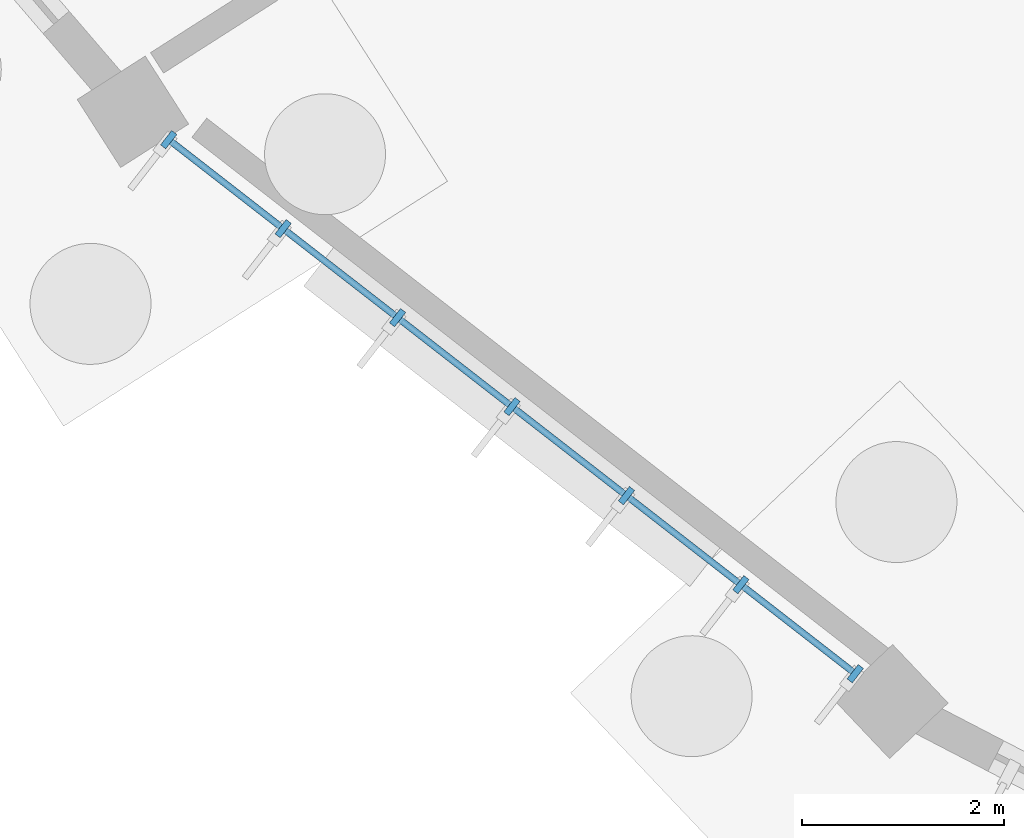
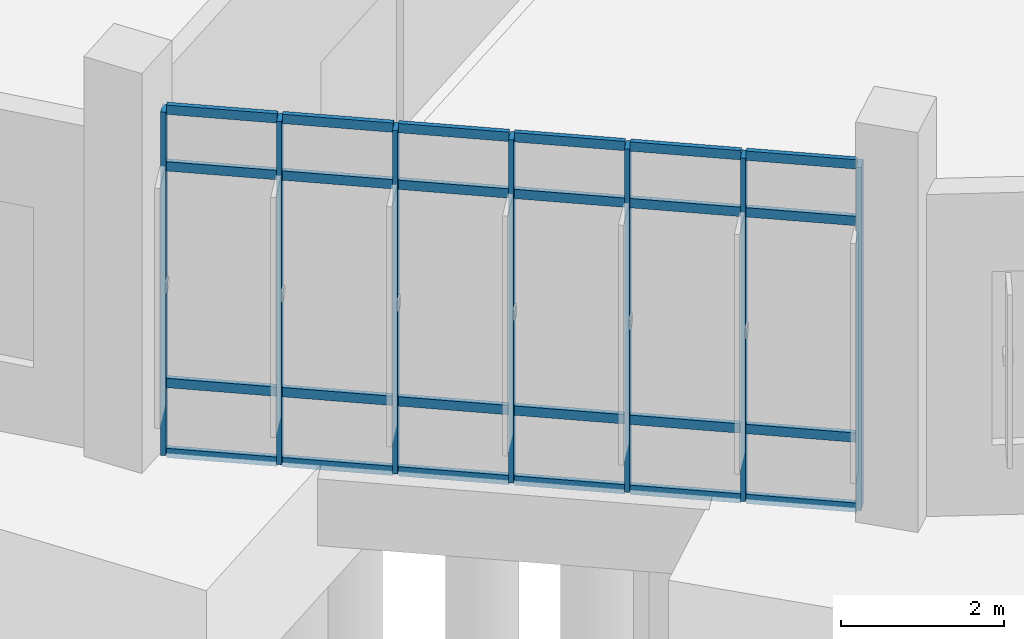
# One storey, part 32 of 140: 31 members, 1 element without a shape of its own.
"""IFC4 building model written with IfcOpenShell, lengths in metres."""

from ifc_helpers import new_model, si_unit, direction, frame, origin, origin_2d, place, context, subcontext, project, spatial, rectangle, extrude, material, layer, layer_set, material_profile, profile_set, type_object, element, aggregate, save


model = new_model("IFC4")

# Units and contexts
model_context = context("Model", 3, precision=1e-05, world=origin(), true_north=direction((0.0, 1.0)))
body_context = subcontext(model_context, "Body", "Model", "MODEL_VIEW")
ifc_project = project(units=[si_unit("LENGTHUNIT", "METRE"), si_unit("AREAUNIT", "SQUARE_METRE"), si_unit("VOLUMEUNIT", "CUBIC_METRE"), si_unit("PLANEANGLEUNIT", "RADIAN"), si_unit("MASSUNIT", "GRAM", prefix="KILO")], contexts=[model_context])

# Site, building, storey
site_placement = place(None, origin())
site = spatial("IfcSite", under=ifc_project, at=site_placement, CompositionType="ELEMENT")
building_placement = place(site_placement, origin())
building = spatial("IfcBuilding", under=site, at=building_placement, Name="Corvandel Quay Wholesale Market", CompositionType="ELEMENT")
storey_placement = place(building_placement, origin())
storey = spatial("IfcBuildingStorey", under=building, at=storey_placement, Name="L00", CompositionType="ELEMENT", Elevation=0.0)

# Curtain wall, members
ifc_material_1 = material(Name="Bronze anodised aluminium and low-E insulated glazing", Category="aluminium")
ifc_layer = layer(ifc_material_1, 0.14990234375)
ifc_layer_set = layer_set([ifc_layer], Name="Bronze anodised aluminium and low-E insulated glazing")
curtain_wall_type = type_object("IfcCurtainWallType", Name="Stick Curtain Wall System CW20 H4800", PredefinedType="NOTDEFINED", material=ifc_layer_set)
curtain_wall_placement = place(storey_placement, origin())
curtain_wall = element("IfcCurtainWall", 1, at=curtain_wall_placement, inside=storey, type_object=curtain_wall_type, Name="Curtain Wall CW-0057", PredefinedType="NOTDEFINED")
ifc_material_2 = material(Name="Anodised aluminium 6063-T6", Category="aluminium")
ifc_material_profile_1 = material_profile(ifc_material_2, rectangle(XDim=0.06494140625, YDim=0.179931640625, at=origin_2d()), Name="ALU-MUL-65x180")
ifc_profile_set_1 = profile_set([ifc_material_profile_1], Name="Anodised aluminium 6063-T6")
member_type_1 = type_object("IfcMemberType", Name="Curtain Wall Mullion ML01 65x180", PredefinedType="MULLION", material=ifc_profile_set_1)
member_1_placement = place(storey_placement, frame((72.41015625, 14.95068359375, 0.0), z_axis=(0.0, 0.0, 1.0), x_axis=(-0.789298462742, 0.614009720373, 0.0)))
member_1 = element("IfcMember", 2, at=member_1_placement, type_object=member_type_1, Name="Mullion CW-0057-M00", PredefinedType="MULLION", context=body_context, shape_type="SweptSolid", body=[
    extrude(rectangle(XDim=0.06494140625, YDim=0.179931640625, at=origin_2d()), origin(), (0.0, 0.0, 1.0), 5.14990234375),
])
member_2_placement = place(storey_placement, frame((73.54541015625, 14.067626953125, 0.0), z_axis=(0.0, 0.0, 1.0), x_axis=(-0.789298462742, 0.614009720373, 0.0)))
member_2 = element("IfcMember", 3, at=member_2_placement, type_object=member_type_1, Name="Mullion CW-0057-M01", PredefinedType="MULLION", context=body_context, shape_type="SweptSolid", body=[
    extrude(rectangle(XDim=0.06494140625, YDim=0.179931640625, at=origin_2d()), origin(), (0.0, 0.0, 1.0), 5.14990234375),
])
member_3_placement = place(storey_placement, frame((74.6806640625, 13.1845703125, 0.0), z_axis=(0.0, 0.0, 1.0), x_axis=(-0.789298462742, 0.614009720373, 0.0)))
member_3 = element("IfcMember", 4, at=member_3_placement, type_object=member_type_1, Name="Mullion CW-0057-M02", PredefinedType="MULLION", context=body_context, shape_type="SweptSolid", body=[
    extrude(rectangle(XDim=0.06494140625, YDim=0.179931640625, at=origin_2d()), origin(), (0.0, 0.0, 1.0), 5.14990234375),
])
member_4_placement = place(storey_placement, frame((75.81591796875, 12.301513671875, 0.0), z_axis=(0.0, 0.0, 1.0), x_axis=(-0.789298462742, 0.614009720373, 0.0)))
member_4 = element("IfcMember", 5, at=member_4_placement, type_object=member_type_1, Name="Mullion CW-0057-M03", PredefinedType="MULLION", context=body_context, shape_type="SweptSolid", body=[
    extrude(rectangle(XDim=0.06494140625, YDim=0.179931640625, at=origin_2d()), origin(), (0.0, 0.0, 1.0), 5.14990234375),
])
member_5_placement = place(storey_placement, frame((76.951416015625, 11.41845703125, 0.0), z_axis=(0.0, 0.0, 1.0), x_axis=(-0.789298462742, 0.614009720373, 0.0)))
member_5 = element("IfcMember", 6, at=member_5_placement, type_object=member_type_1, Name="Mullion CW-0057-M04", PredefinedType="MULLION", context=body_context, shape_type="SweptSolid", body=[
    extrude(rectangle(XDim=0.06494140625, YDim=0.179931640625, at=origin_2d()), origin(), (0.0, 0.0, 1.0), 5.14990234375),
])
member_6_placement = place(storey_placement, frame((78.08642578125, 10.535400390625, 0.0), z_axis=(0.0, 0.0, 1.0), x_axis=(-0.789298462742, 0.614009720373, 0.0)))
member_6 = element("IfcMember", 7, at=member_6_placement, type_object=member_type_1, Name="Mullion CW-0057-M05", PredefinedType="MULLION", context=body_context, shape_type="SweptSolid", body=[
    extrude(rectangle(XDim=0.06494140625, YDim=0.179931640625, at=origin_2d()), origin(), (0.0, 0.0, 1.0), 5.14990234375),
])
member_7_placement = place(storey_placement, frame((79.2216796875, 9.65234375, 0.0), z_axis=(0.0, 0.0, 1.0), x_axis=(-0.789298462742, 0.614009720373, 0.0)))
member_7 = element("IfcMember", 8, at=member_7_placement, type_object=member_type_1, Name="Mullion CW-0057-M06", PredefinedType="MULLION", context=body_context, shape_type="SweptSolid", body=[
    extrude(rectangle(XDim=0.06494140625, YDim=0.179931640625, at=origin_2d()), origin(), (0.0, 0.0, 1.0), 5.14990234375),
])
ifc_material_profile_2 = material_profile(ifc_material_2, rectangle(XDim=0.06494140625, YDim=0.139892578125, at=origin_2d()), Name="ALU-TRN-65x140")
ifc_profile_set_2 = profile_set([ifc_material_profile_2], Name="Anodised aluminium 6063-T6")
member_type_2 = type_object("IfcMemberType", Name="Curtain Wall Transom TR01 65x140", PredefinedType="USERDEFINED", material=ifc_profile_set_2)
member_8_placement = place(storey_placement, frame((72.435791015625, 14.9306640625, 0.0), z_axis=(0.789380936193, -0.61390368754, 0.0), x_axis=(0.61390368754, 0.789380936193, 0.0)))
member_8 = element("IfcMember", 9, at=member_8_placement, type_object=member_type_2, Name="Transom CW-0057-T00-0", ObjectType="TRANSOM", PredefinedType="USERDEFINED", context=body_context, shape_type="SweptSolid", body=[
    extrude(rectangle(XDim=0.06494140625, YDim=0.139892578125, at=origin_2d()), origin(), (0.0, 0.0, 1.0), 1.373291015625),
])
member_9_placement = place(storey_placement, frame((72.435791015625, 14.9306640625, 1.050048828125), z_axis=(0.789380936193, -0.61390368754, 0.0), x_axis=(0.61390368754, 0.789380936193, 0.0)))
member_9 = element("IfcMember", 10, at=member_9_placement, type_object=member_type_2, Name="Transom CW-0057-T00-1", ObjectType="TRANSOM", PredefinedType="USERDEFINED", context=body_context, shape_type="SweptSolid", body=[
    extrude(rectangle(XDim=0.06494140625, YDim=0.139892578125, at=origin_2d()), origin(), (0.0, 0.0, 1.0), 1.373291015625),
])
member_10_placement = place(storey_placement, frame((72.435791015625, 14.9306640625, 4.300048828125), z_axis=(0.789380936193, -0.61390368754, 0.0), x_axis=(0.61390368754, 0.789380936193, 0.0)))
member_10 = element("IfcMember", 11, at=member_10_placement, type_object=member_type_2, Name="Transom CW-0057-T00-2", ObjectType="TRANSOM", PredefinedType="USERDEFINED", context=body_context, shape_type="SweptSolid", body=[
    extrude(rectangle(XDim=0.06494140625, YDim=0.139892578125, at=origin_2d()), origin(), (0.0, 0.0, 1.0), 1.373291015625),
])
member_11_placement = place(storey_placement, frame((72.435791015625, 14.9306640625, 5.14990234375), z_axis=(0.789380936193, -0.61390368754, 0.0), x_axis=(0.61390368754, 0.789380936193, 0.0)))
member_11 = element("IfcMember", 12, at=member_11_placement, type_object=member_type_2, Name="Transom CW-0057-T00-3", ObjectType="TRANSOM", PredefinedType="USERDEFINED", context=body_context, shape_type="SweptSolid", body=[
    extrude(rectangle(XDim=0.06494140625, YDim=0.139892578125, at=origin_2d()), origin(), (0.0, 0.0, 1.0), 1.373291015625),
])
member_12_placement = place(storey_placement, frame((73.571044921875, 14.047607421875, 0.0), z_axis=(0.789380936193, -0.61390368754, 0.0), x_axis=(0.61390368754, 0.789380936193, 0.0)))
member_12 = element("IfcMember", 13, at=member_12_placement, type_object=member_type_2, Name="Transom CW-0057-T01-0", ObjectType="TRANSOM", PredefinedType="USERDEFINED", context=body_context, shape_type="SweptSolid", body=[
    extrude(rectangle(XDim=0.06494140625, YDim=0.139892578125, at=origin_2d()), origin(), (0.0, 0.0, 1.0), 1.373291015625),
])
member_13_placement = place(storey_placement, frame((73.571044921875, 14.047607421875, 1.050048828125), z_axis=(0.789380936193, -0.61390368754, 0.0), x_axis=(0.61390368754, 0.789380936193, 0.0)))
member_13 = element("IfcMember", 14, at=member_13_placement, type_object=member_type_2, Name="Transom CW-0057-T01-1", ObjectType="TRANSOM", PredefinedType="USERDEFINED", context=body_context, shape_type="SweptSolid", body=[
    extrude(rectangle(XDim=0.06494140625, YDim=0.139892578125, at=origin_2d()), origin(), (0.0, 0.0, 1.0), 1.373291015625),
])
member_14_placement = place(storey_placement, frame((73.571044921875, 14.047607421875, 4.300048828125), z_axis=(0.789380936193, -0.61390368754, 0.0), x_axis=(0.61390368754, 0.789380936193, 0.0)))
member_14 = element("IfcMember", 15, at=member_14_placement, type_object=member_type_2, Name="Transom CW-0057-T01-2", ObjectType="TRANSOM", PredefinedType="USERDEFINED", context=body_context, shape_type="SweptSolid", body=[
    extrude(rectangle(XDim=0.06494140625, YDim=0.139892578125, at=origin_2d()), origin(), (0.0, 0.0, 1.0), 1.373291015625),
])
member_15_placement = place(storey_placement, frame((73.571044921875, 14.047607421875, 5.14990234375), z_axis=(0.789380936193, -0.61390368754, 0.0), x_axis=(0.61390368754, 0.789380936193, 0.0)))
member_15 = element("IfcMember", 16, at=member_15_placement, type_object=member_type_2, Name="Transom CW-0057-T01-3", ObjectType="TRANSOM", PredefinedType="USERDEFINED", context=body_context, shape_type="SweptSolid", body=[
    extrude(rectangle(XDim=0.06494140625, YDim=0.139892578125, at=origin_2d()), origin(), (0.0, 0.0, 1.0), 1.373291015625),
])
member_16_placement = place(storey_placement, frame((74.706298828125, 13.16455078125, 0.0), z_axis=(0.789380936193, -0.61390368754, 0.0), x_axis=(0.61390368754, 0.789380936193, 0.0)))
member_16 = element("IfcMember", 17, at=member_16_placement, type_object=member_type_2, Name="Transom CW-0057-T02-0", ObjectType="TRANSOM", PredefinedType="USERDEFINED", context=body_context, shape_type="SweptSolid", body=[
    extrude(rectangle(XDim=0.06494140625, YDim=0.139892578125, at=origin_2d()), origin(), (0.0, 0.0, 1.0), 1.373291015625),
])
member_17_placement = place(storey_placement, frame((74.706298828125, 13.16455078125, 1.050048828125), z_axis=(0.789380936193, -0.61390368754, 0.0), x_axis=(0.61390368754, 0.789380936193, 0.0)))
member_17 = element("IfcMember", 18, at=member_17_placement, type_object=member_type_2, Name="Transom CW-0057-T02-1", ObjectType="TRANSOM", PredefinedType="USERDEFINED", context=body_context, shape_type="SweptSolid", body=[
    extrude(rectangle(XDim=0.06494140625, YDim=0.139892578125, at=origin_2d()), origin(), (0.0, 0.0, 1.0), 1.373291015625),
])
member_18_placement = place(storey_placement, frame((74.706298828125, 13.16455078125, 4.300048828125), z_axis=(0.789380936193, -0.61390368754, 0.0), x_axis=(0.61390368754, 0.789380936193, 0.0)))
member_18 = element("IfcMember", 19, at=member_18_placement, type_object=member_type_2, Name="Transom CW-0057-T02-2", ObjectType="TRANSOM", PredefinedType="USERDEFINED", context=body_context, shape_type="SweptSolid", body=[
    extrude(rectangle(XDim=0.06494140625, YDim=0.139892578125, at=origin_2d()), origin(), (0.0, 0.0, 1.0), 1.373291015625),
])
member_19_placement = place(storey_placement, frame((74.706298828125, 13.16455078125, 5.14990234375), z_axis=(0.789380936193, -0.61390368754, 0.0), x_axis=(0.61390368754, 0.789380936193, 0.0)))
member_19 = element("IfcMember", 20, at=member_19_placement, type_object=member_type_2, Name="Transom CW-0057-T02-3", ObjectType="TRANSOM", PredefinedType="USERDEFINED", context=body_context, shape_type="SweptSolid", body=[
    extrude(rectangle(XDim=0.06494140625, YDim=0.139892578125, at=origin_2d()), origin(), (0.0, 0.0, 1.0), 1.373291015625),
])
member_20_placement = place(storey_placement, frame((75.841796875, 12.281494140625, 0.0), z_axis=(0.789313917558, -0.613989852969, 0.0), x_axis=(0.613989852969, 0.789313917558, 0.0)))
member_20 = element("IfcMember", 21, at=member_20_placement, type_object=member_type_2, Name="Transom CW-0057-T03-0", ObjectType="TRANSOM", PredefinedType="USERDEFINED", context=body_context, shape_type="SweptSolid", body=[
    extrude(rectangle(XDim=0.06494140625, YDim=0.139892578125, at=origin_2d()), origin(), (0.0, 0.0, 1.0), 1.373046875),
])
member_21_placement = place(storey_placement, frame((75.841796875, 12.281494140625, 1.050048828125), z_axis=(0.789313917558, -0.613989852969, 0.0), x_axis=(0.613989852969, 0.789313917558, 0.0)))
member_21 = element("IfcMember", 22, at=member_21_placement, type_object=member_type_2, Name="Transom CW-0057-T03-1", ObjectType="TRANSOM", PredefinedType="USERDEFINED", context=body_context, shape_type="SweptSolid", body=[
    extrude(rectangle(XDim=0.06494140625, YDim=0.139892578125, at=origin_2d()), origin(), (0.0, 0.0, 1.0), 1.373046875),
])
member_22_placement = place(storey_placement, frame((75.841796875, 12.281494140625, 4.300048828125), z_axis=(0.789313917558, -0.613989852969, 0.0), x_axis=(0.613989852969, 0.789313917558, 0.0)))
member_22 = element("IfcMember", 23, at=member_22_placement, type_object=member_type_2, Name="Transom CW-0057-T03-2", ObjectType="TRANSOM", PredefinedType="USERDEFINED", context=body_context, shape_type="SweptSolid", body=[
    extrude(rectangle(XDim=0.06494140625, YDim=0.139892578125, at=origin_2d()), origin(), (0.0, 0.0, 1.0), 1.373046875),
])
member_23_placement = place(storey_placement, frame((75.841796875, 12.281494140625, 5.14990234375), z_axis=(0.789313917558, -0.613989852969, 0.0), x_axis=(0.613989852969, 0.789313917558, 0.0)))
member_23 = element("IfcMember", 24, at=member_23_placement, type_object=member_type_2, Name="Transom CW-0057-T03-3", ObjectType="TRANSOM", PredefinedType="USERDEFINED", context=body_context, shape_type="SweptSolid", body=[
    extrude(rectangle(XDim=0.06494140625, YDim=0.139892578125, at=origin_2d()), origin(), (0.0, 0.0, 1.0), 1.373046875),
])
member_24_placement = place(storey_placement, frame((76.976806640625, 11.3984375, 0.0), z_axis=(0.789380936193, -0.61390368754, 0.0), x_axis=(0.61390368754, 0.789380936193, 0.0)))
member_24 = element("IfcMember", 25, at=member_24_placement, type_object=member_type_2, Name="Transom CW-0057-T04-0", ObjectType="TRANSOM", PredefinedType="USERDEFINED", context=body_context, shape_type="SweptSolid", body=[
    extrude(rectangle(XDim=0.06494140625, YDim=0.139892578125, at=origin_2d()), origin(), (0.0, 0.0, 1.0), 1.373291015625),
])
member_25_placement = place(storey_placement, frame((76.976806640625, 11.3984375, 1.050048828125), z_axis=(0.789380936193, -0.61390368754, 0.0), x_axis=(0.61390368754, 0.789380936193, 0.0)))
member_25 = element("IfcMember", 26, at=member_25_placement, type_object=member_type_2, Name="Transom CW-0057-T04-1", ObjectType="TRANSOM", PredefinedType="USERDEFINED", context=body_context, shape_type="SweptSolid", body=[
    extrude(rectangle(XDim=0.06494140625, YDim=0.139892578125, at=origin_2d()), origin(), (0.0, 0.0, 1.0), 1.373291015625),
])
member_26_placement = place(storey_placement, frame((76.976806640625, 11.3984375, 4.300048828125), z_axis=(0.789380936193, -0.61390368754, 0.0), x_axis=(0.61390368754, 0.789380936193, 0.0)))
member_26 = element("IfcMember", 27, at=member_26_placement, type_object=member_type_2, Name="Transom CW-0057-T04-2", ObjectType="TRANSOM", PredefinedType="USERDEFINED", context=body_context, shape_type="SweptSolid", body=[
    extrude(rectangle(XDim=0.06494140625, YDim=0.139892578125, at=origin_2d()), origin(), (0.0, 0.0, 1.0), 1.373291015625),
])
member_27_placement = place(storey_placement, frame((76.976806640625, 11.3984375, 5.14990234375), z_axis=(0.789380936193, -0.61390368754, 0.0), x_axis=(0.61390368754, 0.789380936193, 0.0)))
member_27 = element("IfcMember", 28, at=member_27_placement, type_object=member_type_2, Name="Transom CW-0057-T04-3", ObjectType="TRANSOM", PredefinedType="USERDEFINED", context=body_context, shape_type="SweptSolid", body=[
    extrude(rectangle(XDim=0.06494140625, YDim=0.139892578125, at=origin_2d()), origin(), (0.0, 0.0, 1.0), 1.373291015625),
])
member_28_placement = place(storey_placement, frame((78.1123046875, 10.515380859375, 0.0), z_axis=(0.789313917558, -0.613989852969, 0.0), x_axis=(0.613989852969, 0.789313917558, 0.0)))
member_28 = element("IfcMember", 29, at=member_28_placement, type_object=member_type_2, Name="Transom CW-0057-T05-0", ObjectType="TRANSOM", PredefinedType="USERDEFINED", context=body_context, shape_type="SweptSolid", body=[
    extrude(rectangle(XDim=0.06494140625, YDim=0.139892578125, at=origin_2d()), origin(), (0.0, 0.0, 1.0), 1.373046875),
])
member_29_placement = place(storey_placement, frame((78.1123046875, 10.515380859375, 1.050048828125), z_axis=(0.789313917558, -0.613989852969, 0.0), x_axis=(0.613989852969, 0.789313917558, 0.0)))
member_29 = element("IfcMember", 30, at=member_29_placement, type_object=member_type_2, Name="Transom CW-0057-T05-1", ObjectType="TRANSOM", PredefinedType="USERDEFINED", context=body_context, shape_type="SweptSolid", body=[
    extrude(rectangle(XDim=0.06494140625, YDim=0.139892578125, at=origin_2d()), origin(), (0.0, 0.0, 1.0), 1.373046875),
])
member_30_placement = place(storey_placement, frame((78.1123046875, 10.515380859375, 4.300048828125), z_axis=(0.789313917558, -0.613989852969, 0.0), x_axis=(0.613989852969, 0.789313917558, 0.0)))
member_30 = element("IfcMember", 31, at=member_30_placement, type_object=member_type_2, Name="Transom CW-0057-T05-2", ObjectType="TRANSOM", PredefinedType="USERDEFINED", context=body_context, shape_type="SweptSolid", body=[
    extrude(rectangle(XDim=0.06494140625, YDim=0.139892578125, at=origin_2d()), origin(), (0.0, 0.0, 1.0), 1.373046875),
])
member_31_placement = place(storey_placement, frame((78.1123046875, 10.515380859375, 5.14990234375), z_axis=(0.789313917558, -0.613989852969, 0.0), x_axis=(0.613989852969, 0.789313917558, 0.0)))
member_31 = element("IfcMember", 32, at=member_31_placement, type_object=member_type_2, Name="Transom CW-0057-T05-3", ObjectType="TRANSOM", PredefinedType="USERDEFINED", context=body_context, shape_type="SweptSolid", body=[
    extrude(rectangle(XDim=0.06494140625, YDim=0.139892578125, at=origin_2d()), origin(), (0.0, 0.0, 1.0), 1.373046875),
])
aggregate(curtain_wall, [member_1, member_2, member_3, member_4, member_5, member_6, member_7, member_8, member_9, member_10, member_11, member_12, member_13, member_14, member_15, member_16, member_17, member_18, member_19, member_20, member_21, member_22, member_23, member_24, member_25, member_26, member_27, member_28, member_29, member_30, member_31])

save(model, "model.ifc")
